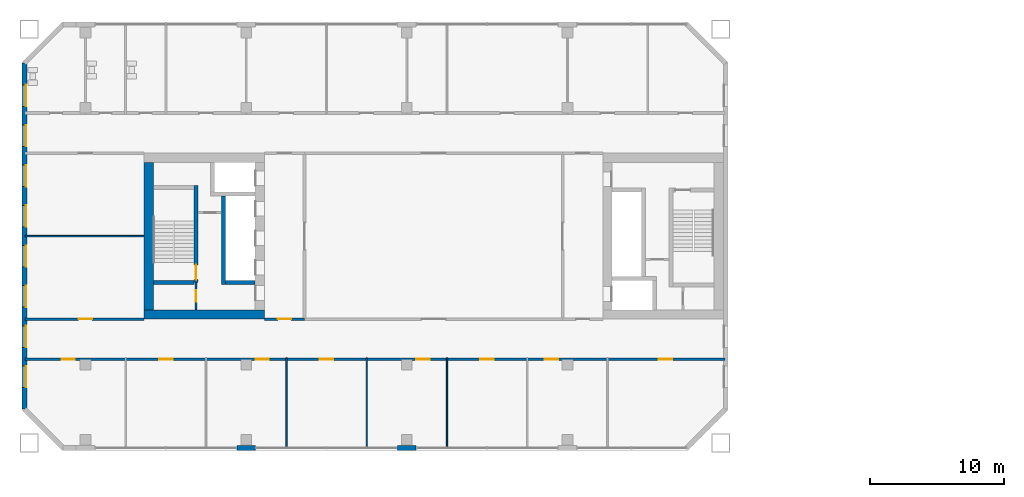
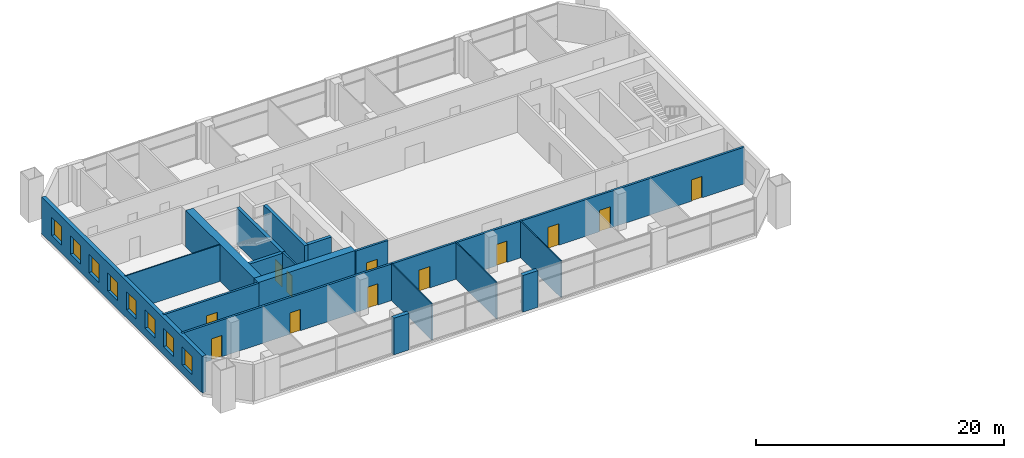
# One storey, part 10 of 19: 17 walls, 12 doors, 8 windows, 20 openings.
"""IFC4 building model written with IfcOpenShell, lengths in metres."""

from ifc_helpers import new_model, si_unit, direction, frame, frame_2d, origin, place, context, subcontext, project, spatial, rectangle, extrude, material, layer, layer_set, type_object, element, fill, save


model = new_model("IFC4")

# Units and contexts
model_context = context("Model", 3, precision=1e-05, world=origin(), true_north=direction((0.0, 1.0)))
body_context = subcontext(model_context, "Body", "Model", "MODEL_VIEW")
ifc_project = project(units=[si_unit("LENGTHUNIT", "METRE"), si_unit("AREAUNIT", "SQUARE_METRE"), si_unit("VOLUMEUNIT", "CUBIC_METRE"), si_unit("PLANEANGLEUNIT", "RADIAN"), si_unit("MASSUNIT", "GRAM", prefix="KILO")], contexts=[model_context])

# Site, building, storey
site_placement = place(None, origin())
site = spatial("IfcSite", under=ifc_project, at=site_placement, CompositionType="ELEMENT")
building_placement = place(site_placement, origin())
building = spatial("IfcBuilding", under=site, at=building_placement, Name="Tuart Gate Housing", CompositionType="ELEMENT")
storey_placement = place(building_placement, frame((0.0, 0.0, 67.39990234375)))
storey = spatial("IfcBuildingStorey", under=building, at=storey_placement, Name="L18", CompositionType="ELEMENT", Elevation=67.39990234375)

# Walls
ifc_material_1 = material(Name="Brick", Category="masonry")
ifc_layer_1 = layer(ifc_material_1, 0.360107421875)
ifc_layer_set_1 = layer_set([ifc_layer_1], Name="Brick pier and spandrel wall 360")
wall_type_1 = type_object("IfcWallType", Name="Brick pier and spandrel wall 360", PredefinedType="STANDARD", material=ifc_layer_set_1)
for number, where, z_axis, x_axis, name in (
    (1, (39.300048828125, 54.179931640625, 0.0), (0.0, 0.0, 1.0), (1.0, 0.0, 0.0), "External wall A-S L18"),
    (2, (51.300048828125, 54.179931640625, 0.0), (0.0, 0.0, 1.0), (1.0, 0.0, 0.0), "External wall A-S L18"),
):
    element("IfcWall", number, at=place(storey_placement, frame(where, z_axis=z_axis, x_axis=x_axis)), inside=storey, type_object=wall_type_1, Name=name, PredefinedType="STANDARD", context=body_context, shape_type="SweptSolid", body=[
        extrude(rectangle(XDim=1.39990234375, YDim=0.360107421875, at=frame_2d((0.699951171875, 0.0))), origin(), (0.0, 0.0, 1.0), 3.60009765625),
    ])

# Wall, openings, windows
wall_1_placement = place(storey_placement, frame((23.429931640625, 82.92529296875, 0.0), z_axis=(0.0, 0.0, 1.0), x_axis=(0.0, -1.0, 0.0)))
wall_1 = element("IfcWall", 3, at=wall_1_placement, inside=storey, type_object=wall_type_1, Name="External wall A-W L18", PredefinedType="STANDARD", context=body_context, shape_type="SweptSolid", body=[
    extrude(rectangle(XDim=25.850830078125, YDim=0.360107421875, at=frame_2d((12.92529296875, 0.0))), origin(), (0.0, 0.0, 1.0), 3.60009765625),
])
opening_1_placement = place(wall_1_placement, frame((1.62548828125, 0.0, 0.800048828125)))
opening_1 = element("IfcOpeningElement", 4, at=opening_1_placement, cuts=wall_1, Name="Opening W1", PredefinedType="OPENING", context=body_context, shape_type="SweptSolid", body=[
    extrude(rectangle(XDim=1.60009765625, YDim=1.800048828125, at=frame_2d((0.800048828125, 0.89990234375))), frame((0.0, 0.18994140625, 0.0), z_axis=(0.0, -1.0, 0.0), x_axis=(1.0, 0.0, 0.0)), (0.0, 0.0, 1.0), 0.380126953125),
])
opening_2_placement = place(wall_1_placement, frame((4.62548828125, 0.0, 0.800048828125)))
opening_2 = element("IfcOpeningElement", 5, at=opening_2_placement, cuts=wall_1, Name="Opening W1", PredefinedType="OPENING", context=body_context, shape_type="SweptSolid", body=[
    extrude(rectangle(XDim=1.60009765625, YDim=1.800048828125, at=frame_2d((0.800048828125, 0.89990234375))), frame((0.0, 0.18994140625, 0.0), z_axis=(0.0, -1.0, 0.0), x_axis=(1.0, 0.0, 0.0)), (0.0, 0.0, 1.0), 0.380126953125),
])
opening_3_placement = place(wall_1_placement, frame((7.62548828125, 0.0, 0.800048828125)))
opening_3 = element("IfcOpeningElement", 6, at=opening_3_placement, cuts=wall_1, Name="Opening W1", PredefinedType="OPENING", context=body_context, shape_type="SweptSolid", body=[
    extrude(rectangle(XDim=1.60009765625, YDim=1.800048828125, at=frame_2d((0.800048828125, 0.89990234375))), frame((0.0, 0.18994140625, 0.0), z_axis=(0.0, -1.0, 0.0), x_axis=(1.0, 0.0, 0.0)), (0.0, 0.0, 1.0), 0.380126953125),
])
opening_4_placement = place(wall_1_placement, frame((10.62548828125, 0.0, 0.800048828125)))
opening_4 = element("IfcOpeningElement", 7, at=opening_4_placement, cuts=wall_1, Name="Opening W1", PredefinedType="OPENING", context=body_context, shape_type="SweptSolid", body=[
    extrude(rectangle(XDim=1.60009765625, YDim=1.800048828125, at=frame_2d((0.800048828125, 0.89990234375))), frame((0.0, 0.18994140625, 0.0), z_axis=(0.0, -1.0, 0.0), x_axis=(1.0, 0.0, 0.0)), (0.0, 0.0, 1.0), 0.380126953125),
])
opening_5_placement = place(wall_1_placement, frame((13.62548828125, 0.0, 0.800048828125)))
opening_5 = element("IfcOpeningElement", 8, at=opening_5_placement, cuts=wall_1, Name="Opening W1", PredefinedType="OPENING", context=body_context, shape_type="SweptSolid", body=[
    extrude(rectangle(XDim=1.60009765625, YDim=1.800048828125, at=frame_2d((0.800048828125, 0.89990234375))), frame((0.0, 0.18994140625, 0.0), z_axis=(0.0, -1.0, 0.0), x_axis=(1.0, 0.0, 0.0)), (0.0, 0.0, 1.0), 0.380126953125),
])
opening_6_placement = place(wall_1_placement, frame((16.62548828125, 0.0, 0.800048828125)))
opening_6 = element("IfcOpeningElement", 9, at=opening_6_placement, cuts=wall_1, Name="Opening W1", PredefinedType="OPENING", context=body_context, shape_type="SweptSolid", body=[
    extrude(rectangle(XDim=1.60009765625, YDim=1.800048828125, at=frame_2d((0.800048828125, 0.89990234375))), frame((0.0, 0.18994140625, 0.0), z_axis=(0.0, -1.0, 0.0), x_axis=(1.0, 0.0, 0.0)), (0.0, 0.0, 1.0), 0.380126953125),
])
opening_7_placement = place(wall_1_placement, frame((19.62548828125, 0.0, 0.800048828125)))
opening_7 = element("IfcOpeningElement", 10, at=opening_7_placement, cuts=wall_1, Name="Opening W1", PredefinedType="OPENING", context=body_context, shape_type="SweptSolid", body=[
    extrude(rectangle(XDim=1.60009765625, YDim=1.800048828125, at=frame_2d((0.800048828125, 0.89990234375))), frame((0.0, 0.18994140625, 0.0), z_axis=(0.0, -1.0, 0.0), x_axis=(1.0, 0.0, 0.0)), (0.0, 0.0, 1.0), 0.380126953125),
])
opening_8_placement = place(wall_1_placement, frame((22.62548828125, 0.0, 0.800048828125)))
opening_8 = element("IfcOpeningElement", 11, at=opening_8_placement, cuts=wall_1, Name="Opening W1", PredefinedType="OPENING", context=body_context, shape_type="SweptSolid", body=[
    extrude(rectangle(XDim=1.60009765625, YDim=1.800048828125, at=frame_2d((0.800048828125, 0.89990234375))), frame((0.0, 0.18994140625, 0.0), z_axis=(0.0, -1.0, 0.0), x_axis=(1.0, 0.0, 0.0)), (0.0, 0.0, 1.0), 0.380126953125),
])
ifc_material_2 = material(Name="Aluminium frame with clear glass", Category="aluminium")
window_type = type_object("IfcWindowType", Name="Punched window 1600 x 1800", PartitioningType="SINGLE_PANEL", PredefinedType="WINDOW", material=ifc_material_2)
window_1_placement = place(opening_1_placement, origin())
window_1 = element("IfcWindow", 12, at=window_1_placement, inside=storey, type_object=window_type, Name="Window W1", OverallHeight=1.800048828125, OverallWidth=1.60009765625, PartitioningType="SINGLE_PANEL", PredefinedType="WINDOW", context=body_context, shape_type="SweptSolid", body=[
    extrude(rectangle(XDim=1.60009765625, YDim=1.800048828125, at=frame_2d((0.800048828125, 0.89990234375))), frame((0.0, 0.150146484375, 0.0), z_axis=(0.0, -1.0, 0.0), x_axis=(1.0, 0.0, 0.0)), (0.0, 0.0, 1.0), 0.06005859375),
])
fill(opening_1, window_1)
window_2_placement = place(opening_2_placement, origin())
window_2 = element("IfcWindow", 13, at=window_2_placement, inside=storey, type_object=window_type, Name="Window W1", OverallHeight=1.800048828125, OverallWidth=1.60009765625, PartitioningType="SINGLE_PANEL", PredefinedType="WINDOW", context=body_context, shape_type="SweptSolid", body=[
    extrude(rectangle(XDim=1.60009765625, YDim=1.800048828125, at=frame_2d((0.800048828125, 0.89990234375))), frame((0.0, 0.150146484375, 0.0), z_axis=(0.0, -1.0, 0.0), x_axis=(1.0, 0.0, 0.0)), (0.0, 0.0, 1.0), 0.06005859375),
])
fill(opening_2, window_2)
window_3_placement = place(opening_3_placement, origin())
window_3 = element("IfcWindow", 14, at=window_3_placement, inside=storey, type_object=window_type, Name="Window W1", OverallHeight=1.800048828125, OverallWidth=1.60009765625, PartitioningType="SINGLE_PANEL", PredefinedType="WINDOW", context=body_context, shape_type="SweptSolid", body=[
    extrude(rectangle(XDim=1.60009765625, YDim=1.800048828125, at=frame_2d((0.800048828125, 0.89990234375))), frame((0.0, 0.150146484375, 0.0), z_axis=(0.0, -1.0, 0.0), x_axis=(1.0, 0.0, 0.0)), (0.0, 0.0, 1.0), 0.06005859375),
])
fill(opening_3, window_3)
window_4_placement = place(opening_4_placement, origin())
window_4 = element("IfcWindow", 15, at=window_4_placement, inside=storey, type_object=window_type, Name="Window W1", OverallHeight=1.800048828125, OverallWidth=1.60009765625, PartitioningType="SINGLE_PANEL", PredefinedType="WINDOW", context=body_context, shape_type="SweptSolid", body=[
    extrude(rectangle(XDim=1.60009765625, YDim=1.800048828125, at=frame_2d((0.800048828125, 0.89990234375))), frame((0.0, 0.150146484375, 0.0), z_axis=(0.0, -1.0, 0.0), x_axis=(1.0, 0.0, 0.0)), (0.0, 0.0, 1.0), 0.06005859375),
])
fill(opening_4, window_4)
window_5_placement = place(opening_5_placement, origin())
window_5 = element("IfcWindow", 16, at=window_5_placement, inside=storey, type_object=window_type, Name="Window W1", OverallHeight=1.800048828125, OverallWidth=1.60009765625, PartitioningType="SINGLE_PANEL", PredefinedType="WINDOW", context=body_context, shape_type="SweptSolid", body=[
    extrude(rectangle(XDim=1.60009765625, YDim=1.800048828125, at=frame_2d((0.800048828125, 0.89990234375))), frame((0.0, 0.150146484375, 0.0), z_axis=(0.0, -1.0, 0.0), x_axis=(1.0, 0.0, 0.0)), (0.0, 0.0, 1.0), 0.06005859375),
])
fill(opening_5, window_5)
window_6_placement = place(opening_6_placement, origin())
window_6 = element("IfcWindow", 17, at=window_6_placement, inside=storey, type_object=window_type, Name="Window W1", OverallHeight=1.800048828125, OverallWidth=1.60009765625, PartitioningType="SINGLE_PANEL", PredefinedType="WINDOW", context=body_context, shape_type="SweptSolid", body=[
    extrude(rectangle(XDim=1.60009765625, YDim=1.800048828125, at=frame_2d((0.800048828125, 0.89990234375))), frame((0.0, 0.150146484375, 0.0), z_axis=(0.0, -1.0, 0.0), x_axis=(1.0, 0.0, 0.0)), (0.0, 0.0, 1.0), 0.06005859375),
])
fill(opening_6, window_6)
window_7_placement = place(opening_7_placement, origin())
window_7 = element("IfcWindow", 18, at=window_7_placement, inside=storey, type_object=window_type, Name="Window W1", OverallHeight=1.800048828125, OverallWidth=1.60009765625, PartitioningType="SINGLE_PANEL", PredefinedType="WINDOW", context=body_context, shape_type="SweptSolid", body=[
    extrude(rectangle(XDim=1.60009765625, YDim=1.800048828125, at=frame_2d((0.800048828125, 0.89990234375))), frame((0.0, 0.150146484375, 0.0), z_axis=(0.0, -1.0, 0.0), x_axis=(1.0, 0.0, 0.0)), (0.0, 0.0, 1.0), 0.06005859375),
])
fill(opening_7, window_7)
window_8_placement = place(opening_8_placement, origin())
window_8 = element("IfcWindow", 19, at=window_8_placement, inside=storey, type_object=window_type, Name="Window W1", OverallHeight=1.800048828125, OverallWidth=1.60009765625, PartitioningType="SINGLE_PANEL", PredefinedType="WINDOW", context=body_context, shape_type="SweptSolid", body=[
    extrude(rectangle(XDim=1.60009765625, YDim=1.800048828125, at=frame_2d((0.800048828125, 0.89990234375))), frame((0.0, 0.150146484375, 0.0), z_axis=(0.0, -1.0, 0.0), x_axis=(1.0, 0.0, 0.0)), (0.0, 0.0, 1.0), 0.06005859375),
])
fill(opening_8, window_8)

# Wall, opening, door
ifc_material_3 = material(Name="Plasterboard partition")
ifc_layer_2 = layer(ifc_material_3, 0.14990234375)
ifc_layer_set_2 = layer_set([ifc_layer_2], Name="Core partition 150")
wall_type_2 = type_object("IfcWallType", Name="Core partition 150", PredefinedType="PARTITIONING", material=ifc_layer_set_2)
wall_2_placement = place(storey_placement, frame((36.260009765625, 66.550048828125, 0.0), z_axis=(0.0, 0.0, 1.0), x_axis=(0.0, -1.0, 0.0)))
wall_2 = element("IfcWall", 20, at=wall_2_placement, inside=storey, type_object=wall_type_2, Name="Core partition AK.9", PredefinedType="PARTITIONING", context=body_context, shape_type="SweptSolid", body=[
    extrude(rectangle(XDim=2.050048828125, YDim=0.14990234375, at=frame_2d((1.02490234375, 0.0))), origin(), (0.0, 0.0, 1.0), 3.60009765625),
])
opening_9_placement = place(wall_2_placement, frame((0.60009765625, 0.0, 0.0)))
opening_9 = element("IfcOpeningElement", 21, at=opening_9_placement, cuts=wall_2, Name="Opening D093", PredefinedType="OPENING", context=body_context, shape_type="SweptSolid", body=[
    extrude(rectangle(XDim=0.85009765625, YDim=2.10009765625, at=frame_2d((0.425048828125, 1.050048828125))), frame((0.0, 0.0849609375, 0.0), z_axis=(0.0, -1.0, 0.0), x_axis=(1.0, 0.0, 0.0)), (0.0, 0.0, 1.0), 0.169921875),
])
ifc_material_4 = material(Name="Steel fire door", Category="steel")
door_type_1 = type_object("IfcDoorType", Name="Service door 850 x 2100 RH", OperationType="SINGLE_SWING_RIGHT", PredefinedType="DOOR", material=ifc_material_4)
door_1_placement = place(opening_9_placement, frame((0.85009765625, 0.0, 0.0), z_axis=(0.0, 0.0, 1.0), x_axis=(-1.0, 0.0, 0.0)))
door_1 = element("IfcDoor", 22, at=door_1_placement, inside=storey, type_object=door_type_1, Name="Service room door AK.ST", OperationType="SINGLE_SWING_RIGHT", OverallHeight=2.10009765625, OverallWidth=0.85009765625, PredefinedType="DOOR", context=body_context, shape_type="SweptSolid", body=[
    extrude(rectangle(XDim=0.85009765625, YDim=2.10009765625, at=frame_2d((0.425048828125, 1.050048828125))), frame((0.0, 0.025146484375, 0.0), z_axis=(0.0, -1.0, 0.0), x_axis=(1.0, 0.0, 0.0)), (0.0, 0.0, 1.0), 0.050048828125),
])
fill(opening_9, door_1)

# Walls
ifc_material_5 = material(Name="Concrete C50", Category="concrete")
ifc_layer_3 = layer(ifc_material_5, 0.300048828125)
ifc_layer_set_3 = layer_set([ifc_layer_3], Name="Core wall 300 C50")
wall_type_3 = type_object("IfcWallType", Name="Core wall 300 C50", PredefinedType="SHEAR", material=ifc_layer_set_3)
wall_3_placement = place(storey_placement, frame((40.659912109375, 66.550048828125, 0.0), z_axis=(0.0, 0.0, 1.0), x_axis=(-1.0, 0.0, 0.0)))
element("IfcWall", 23, at=wall_3_placement, inside=storey, type_object=wall_type_3, Name="Core wall AK.4", PredefinedType="SHEAR", context=body_context, shape_type="SweptSolid", body=[
    extrude(rectangle(XDim=2.199951171875, YDim=0.300048828125, at=frame_2d((1.10009765625, 0.0))), origin(), (0.0, 0.0, 1.0), 3.60009765625),
])
wall_4_placement = place(storey_placement, frame((36.110107421875, 66.550048828125, 0.0), z_axis=(0.0, 0.0, 1.0), x_axis=(-1.0, 0.0, 0.0)))
element("IfcWall", 24, at=wall_4_placement, inside=storey, type_object=wall_type_3, Name="Core wall AK.5", PredefinedType="SHEAR", context=body_context, shape_type="SweptSolid", body=[
    extrude(rectangle(XDim=3.050048828125, YDim=0.300048828125, at=frame_2d((1.52490234375, 0.0))), origin(), (0.0, 0.0, 1.0), 3.60009765625),
])
wall_5_placement = place(storey_placement, frame((38.31005859375, 73.0, 0.0), z_axis=(0.0, 0.0, 1.0), x_axis=(0.0, -1.0, 0.0)))
element("IfcWall", 25, at=wall_5_placement, inside=storey, type_object=wall_type_3, Name="Core wall AK.6", PredefinedType="SHEAR", context=body_context, shape_type="SweptSolid", body=[
    extrude(rectangle(XDim=6.60009765625, YDim=0.300048828125, at=frame_2d((3.300048828125, 0.0))), origin(), (0.0, 0.0, 1.0), 3.60009765625),
])

# Wall, opening, door
wall_6_placement = place(storey_placement, frame((36.260009765625, 73.800048828125, 0.0), z_axis=(0.0, 0.0, 1.0), x_axis=(0.0, -1.0, 0.0)))
wall_6 = element("IfcWall", 26, at=wall_6_placement, inside=storey, type_object=wall_type_3, Name="Core wall AK.8", PredefinedType="SHEAR", context=body_context, shape_type="SweptSolid", body=[
    extrude(rectangle(XDim=7.25, YDim=0.300048828125, at=frame_2d((3.625, 0.0))), origin(), (0.0, 0.0, 1.0), 3.60009765625),
])
opening_10_placement = place(wall_6_placement, frame((5.949951171875, 0.0, 0.0)))
opening_10 = element("IfcOpeningElement", 27, at=opening_10_placement, cuts=wall_6, Name="Opening D087", PredefinedType="OPENING", context=body_context, shape_type="SweptSolid", body=[
    extrude(rectangle(XDim=1.10009765625, YDim=2.10009765625, at=frame_2d((0.550048828125, 1.050048828125))), frame((0.0, 0.159912109375, 0.0), z_axis=(0.0, -1.0, 0.0), x_axis=(1.0, 0.0, 0.0)), (0.0, 0.0, 1.0), 0.320068359375),
])
ifc_material_6 = material(Name="Steel fire door", Category="steel")
door_type_2 = type_object("IfcDoorType", Name="Stair door 1100 x 2100", OperationType="SINGLE_SWING_LEFT", PredefinedType="DOOR", material=ifc_material_6)
door_2_placement = place(opening_10_placement, frame((1.10009765625, 0.0, 0.0), z_axis=(0.0, 0.0, 1.0), x_axis=(-1.0, 0.0, 0.0)))
door_2 = element("IfcDoor", 28, at=door_2_placement, inside=storey, type_object=door_type_2, Name="Stair door AK.SD", OperationType="SINGLE_SWING_LEFT", OverallHeight=2.10009765625, OverallWidth=1.10009765625, PredefinedType="DOOR", context=body_context, shape_type="SweptSolid", body=[
    extrude(rectangle(XDim=1.10009765625, YDim=2.10009765625, at=frame_2d((0.550048828125, 1.050048828125))), frame((0.0, 0.025146484375, 0.0), z_axis=(0.0, -1.0, 0.0), x_axis=(1.0, 0.0, 0.0)), (0.0, 0.0, 1.0), 0.050048828125),
])
fill(opening_10, door_2)

# Walls
ifc_material_7 = material(Name="Concrete C50", Category="concrete")
ifc_layer_4 = layer(ifc_material_7, 0.699951171875)
ifc_layer_set_4 = layer_set([ifc_layer_4], Name="Core wall 700 C50")
wall_type_4 = type_object("IfcWallType", Name="Core wall 700 C50", PredefinedType="SHEAR", material=ifc_layer_set_4)
wall_7_placement = place(storey_placement, frame((32.7099609375, 75.5, 0.0), z_axis=(0.0, 0.0, 1.0), x_axis=(0.0, -1.0, 0.0)))
element("IfcWall", 29, at=wall_7_placement, inside=storey, type_object=wall_type_4, Name="Core wall AK back", PredefinedType="SHEAR", context=body_context, shape_type="SweptSolid", body=[
    extrude(rectangle(XDim=11.0, YDim=0.699951171875, at=frame_2d((5.5, 0.0))), origin(), (0.0, 0.0, 1.0), 3.60009765625),
])
wall_8_placement = place(storey_placement, frame((41.360107421875, 64.14990234375, 0.0), z_axis=(0.0, 0.0, 1.0), x_axis=(-1.0, 0.0, 0.0)))
element("IfcWall", 30, at=wall_8_placement, inside=storey, type_object=wall_type_4, Name="Core wall AK north", PredefinedType="SHEAR", context=body_context, shape_type="SweptSolid", body=[
    extrude(rectangle(XDim=9.0, YDim=0.699951171875, at=frame_2d((4.5, 0.0))), origin(), (0.0, 0.0, 1.0), 3.60009765625),
])

# Wall, openings, doors
ifc_material_8 = material(Name="Concrete masonry 15 MPa", Category="masonry")
ifc_layer_5 = layer(ifc_material_8, 0.199951171875)
ifc_layer_set_5 = layer_set([ifc_layer_5], Name="Corridor wall masonry 200")
wall_type_5 = type_object("IfcWallType", Name="Corridor wall masonry 200", PredefinedType="PARTITIONING", material=ifc_layer_set_5)
wall_9_placement = place(storey_placement, frame((23.489990234375, 60.800048828125, 0.0), z_axis=(0.0, 0.0, 1.0), x_axis=(1.0, 0.0, 0.0)))
wall_9 = element("IfcWall", 31, at=wall_9_placement, inside=storey, type_object=wall_type_5, Name="Corridor wall masonry 200", PredefinedType="PARTITIONING", context=body_context, shape_type="SweptSolid", body=[
    extrude(rectangle(XDim=52.27001953125, YDim=0.199951171875, at=frame_2d((26.135009765625, 0.0))), origin(), (0.0, 0.0, 1.0), 3.60009765625),
])
opening_11_placement = place(wall_9_placement, frame((2.715087890625, 0.0, 0.0)))
opening_11 = element("IfcOpeningElement", 32, at=opening_11_placement, cuts=wall_9, Name="Opening D099", PredefinedType="OPENING", context=body_context, shape_type="SweptSolid", body=[
    extrude(rectangle(XDim=1.0, YDim=2.10009765625, at=frame_2d((0.5, 1.050048828125))), frame((0.0, 0.10986328125, 0.0), z_axis=(0.0, -1.0, 0.0), x_axis=(1.0, 0.0, 0.0)), (0.0, 0.0, 1.0), 0.219970703125),
])
opening_12_placement = place(wall_9_placement, frame((10.010009765625, 0.0, 0.0)))
opening_12 = element("IfcOpeningElement", 33, at=opening_12_placement, cuts=wall_9, Name="Opening D100", PredefinedType="OPENING", context=body_context, shape_type="SweptSolid", body=[
    extrude(rectangle(XDim=1.0, YDim=2.10009765625, at=frame_2d((0.5, 1.050048828125))), frame((0.0, 0.10986328125, 0.0), z_axis=(0.0, -1.0, 0.0), x_axis=(1.0, 0.0, 0.0)), (0.0, 0.0, 1.0), 0.219970703125),
])
opening_13_placement = place(wall_9_placement, frame((17.2099609375, 0.0, 0.0)))
opening_13 = element("IfcOpeningElement", 34, at=opening_13_placement, cuts=wall_9, Name="Opening D101", PredefinedType="OPENING", context=body_context, shape_type="SweptSolid", body=[
    extrude(rectangle(XDim=1.0, YDim=2.10009765625, at=frame_2d((0.5, 1.050048828125))), frame((0.0, 0.10986328125, 0.0), z_axis=(0.0, -1.0, 0.0), x_axis=(1.0, 0.0, 0.0)), (0.0, 0.0, 1.0), 0.219970703125),
])
opening_14_placement = place(wall_9_placement, frame((22.010009765625, 0.0, 0.0)))
opening_14 = element("IfcOpeningElement", 35, at=opening_14_placement, cuts=wall_9, Name="Opening D102", PredefinedType="OPENING", context=body_context, shape_type="SweptSolid", body=[
    extrude(rectangle(XDim=1.0, YDim=2.10009765625, at=frame_2d((0.5, 1.050048828125))), frame((0.0, 0.10986328125, 0.0), z_axis=(0.0, -1.0, 0.0), x_axis=(1.0, 0.0, 0.0)), (0.0, 0.0, 1.0), 0.219970703125),
])
opening_15_placement = place(wall_9_placement, frame((29.2099609375, 0.0, 0.0)))
opening_15 = element("IfcOpeningElement", 36, at=opening_15_placement, cuts=wall_9, Name="Opening D103", PredefinedType="OPENING", context=body_context, shape_type="SweptSolid", body=[
    extrude(rectangle(XDim=1.0, YDim=2.10009765625, at=frame_2d((0.5, 1.050048828125))), frame((0.0, 0.10986328125, 0.0), z_axis=(0.0, -1.0, 0.0), x_axis=(1.0, 0.0, 0.0)), (0.0, 0.0, 1.0), 0.219970703125),
])
opening_16_placement = place(wall_9_placement, frame((34.010009765625, 0.0, 0.0)))
opening_16 = element("IfcOpeningElement", 37, at=opening_16_placement, cuts=wall_9, Name="Opening D104", PredefinedType="OPENING", context=body_context, shape_type="SweptSolid", body=[
    extrude(rectangle(XDim=1.0, YDim=2.10009765625, at=frame_2d((0.5, 1.050048828125))), frame((0.0, 0.10986328125, 0.0), z_axis=(0.0, -1.0, 0.0), x_axis=(1.0, 0.0, 0.0)), (0.0, 0.0, 1.0), 0.219970703125),
])
opening_17_placement = place(wall_9_placement, frame((38.81005859375, 0.0, 0.0)))
opening_17 = element("IfcOpeningElement", 38, at=opening_17_placement, cuts=wall_9, Name="Opening D105", PredefinedType="OPENING", context=body_context, shape_type="SweptSolid", body=[
    extrude(rectangle(XDim=1.0, YDim=2.10009765625, at=frame_2d((0.5, 1.050048828125))), frame((0.0, 0.10986328125, 0.0), z_axis=(0.0, -1.0, 0.0), x_axis=(1.0, 0.0, 0.0)), (0.0, 0.0, 1.0), 0.219970703125),
])
opening_18_placement = place(wall_9_placement, frame((47.330078125, 0.0, 0.0)))
opening_18 = element("IfcOpeningElement", 39, at=opening_18_placement, cuts=wall_9, Name="Opening D106", PredefinedType="OPENING", context=body_context, shape_type="SweptSolid", body=[
    extrude(rectangle(XDim=1.0, YDim=2.10009765625, at=frame_2d((0.5, 1.050048828125))), frame((0.0, 0.10986328125, 0.0), z_axis=(0.0, -1.0, 0.0), x_axis=(1.0, 0.0, 0.0)), (0.0, 0.0, 1.0), 0.219970703125),
])
ifc_material_9 = material(Name="Timber door leaf in steel frame", Category="steel")
door_type_3 = type_object("IfcDoorType", Name="Fire door 1000", OperationType="SINGLE_SWING_LEFT", PredefinedType="DOOR", material=ifc_material_9)
door_3_placement = place(opening_13_placement, frame((1.0, 0.0, 0.0), z_axis=(0.0, 0.0, 1.0), x_axis=(-1.0, 0.0, 0.0)))
door_3 = element("IfcDoor", 40, at=door_3_placement, inside=storey, type_object=door_type_3, Name="Fire door 1000", OperationType="SINGLE_SWING_LEFT", OverallHeight=2.10009765625, OverallWidth=1.0, PredefinedType="DOOR", context=body_context, shape_type="SweptSolid", body=[
    extrude(rectangle(XDim=1.0, YDim=2.10009765625, at=frame_2d((0.5, 1.050048828125))), frame((0.0, 0.025146484375, 0.0), z_axis=(0.0, -1.0, 0.0), x_axis=(1.0, 0.0, 0.0)), (0.0, 0.0, 1.0), 0.050048828125),
])
fill(opening_13, door_3)
door_4_placement = place(opening_15_placement, frame((1.0, 0.0, 0.0), z_axis=(0.0, 0.0, 1.0), x_axis=(-1.0, 0.0, 0.0)))
door_4 = element("IfcDoor", 41, at=door_4_placement, inside=storey, type_object=door_type_3, Name="Fire door 1000", OperationType="SINGLE_SWING_LEFT", OverallHeight=2.10009765625, OverallWidth=1.0, PredefinedType="DOOR", context=body_context, shape_type="SweptSolid", body=[
    extrude(rectangle(XDim=1.0, YDim=2.10009765625, at=frame_2d((0.5, 1.050048828125))), frame((0.0, 0.025146484375, 0.0), z_axis=(0.0, -1.0, 0.0), x_axis=(1.0, 0.0, 0.0)), (0.0, 0.0, 1.0), 0.050048828125),
])
fill(opening_15, door_4)
ifc_material_10 = material(Name="Timber door leaf in steel frame", Category="steel")
door_type_4 = type_object("IfcDoorType", Name="Fire door 1000 RH", OperationType="SINGLE_SWING_RIGHT", PredefinedType="DOOR", material=ifc_material_10)
door_5_placement = place(opening_11_placement, frame((1.0, 0.0, 0.0), z_axis=(0.0, 0.0, 1.0), x_axis=(-1.0, 0.0, 0.0)))
door_5 = element("IfcDoor", 42, at=door_5_placement, inside=storey, type_object=door_type_4, Name="Fire door 1000", OperationType="SINGLE_SWING_RIGHT", OverallHeight=2.10009765625, OverallWidth=1.0, PredefinedType="DOOR", context=body_context, shape_type="SweptSolid", body=[
    extrude(rectangle(XDim=1.0, YDim=2.10009765625, at=frame_2d((0.5, 1.050048828125))), frame((0.0, 0.025146484375, 0.0), z_axis=(0.0, -1.0, 0.0), x_axis=(1.0, 0.0, 0.0)), (0.0, 0.0, 1.0), 0.050048828125),
])
fill(opening_11, door_5)
door_6_placement = place(opening_12_placement, frame((1.0, 0.0, 0.0), z_axis=(0.0, 0.0, 1.0), x_axis=(-1.0, 0.0, 0.0)))
door_6 = element("IfcDoor", 43, at=door_6_placement, inside=storey, type_object=door_type_4, Name="Fire door 1000", OperationType="SINGLE_SWING_RIGHT", OverallHeight=2.10009765625, OverallWidth=1.0, PredefinedType="DOOR", context=body_context, shape_type="SweptSolid", body=[
    extrude(rectangle(XDim=1.0, YDim=2.10009765625, at=frame_2d((0.5, 1.050048828125))), frame((0.0, 0.025146484375, 0.0), z_axis=(0.0, -1.0, 0.0), x_axis=(1.0, 0.0, 0.0)), (0.0, 0.0, 1.0), 0.050048828125),
])
fill(opening_12, door_6)
door_7_placement = place(opening_14_placement, frame((1.0, 0.0, 0.0), z_axis=(0.0, 0.0, 1.0), x_axis=(-1.0, 0.0, 0.0)))
door_7 = element("IfcDoor", 44, at=door_7_placement, inside=storey, type_object=door_type_4, Name="Fire door 1000", OperationType="SINGLE_SWING_RIGHT", OverallHeight=2.10009765625, OverallWidth=1.0, PredefinedType="DOOR", context=body_context, shape_type="SweptSolid", body=[
    extrude(rectangle(XDim=1.0, YDim=2.10009765625, at=frame_2d((0.5, 1.050048828125))), frame((0.0, 0.025146484375, 0.0), z_axis=(0.0, -1.0, 0.0), x_axis=(1.0, 0.0, 0.0)), (0.0, 0.0, 1.0), 0.050048828125),
])
fill(opening_14, door_7)
door_8_placement = place(opening_16_placement, frame((1.0, 0.0, 0.0), z_axis=(0.0, 0.0, 1.0), x_axis=(-1.0, 0.0, 0.0)))
door_8 = element("IfcDoor", 45, at=door_8_placement, inside=storey, type_object=door_type_4, Name="Fire door 1000", OperationType="SINGLE_SWING_RIGHT", OverallHeight=2.10009765625, OverallWidth=1.0, PredefinedType="DOOR", context=body_context, shape_type="SweptSolid", body=[
    extrude(rectangle(XDim=1.0, YDim=2.10009765625, at=frame_2d((0.5, 1.050048828125))), frame((0.0, 0.025146484375, 0.0), z_axis=(0.0, -1.0, 0.0), x_axis=(1.0, 0.0, 0.0)), (0.0, 0.0, 1.0), 0.050048828125),
])
fill(opening_16, door_8)
door_9_placement = place(opening_17_placement, frame((1.0, 0.0, 0.0), z_axis=(0.0, 0.0, 1.0), x_axis=(-1.0, 0.0, 0.0)))
door_9 = element("IfcDoor", 46, at=door_9_placement, inside=storey, type_object=door_type_4, Name="Fire door 1000", OperationType="SINGLE_SWING_RIGHT", OverallHeight=2.10009765625, OverallWidth=1.0, PredefinedType="DOOR", context=body_context, shape_type="SweptSolid", body=[
    extrude(rectangle(XDim=1.0, YDim=2.10009765625, at=frame_2d((0.5, 1.050048828125))), frame((0.0, 0.025146484375, 0.0), z_axis=(0.0, -1.0, 0.0), x_axis=(1.0, 0.0, 0.0)), (0.0, 0.0, 1.0), 0.050048828125),
])
fill(opening_17, door_9)
door_10_placement = place(opening_18_placement, frame((1.0, 0.0, 0.0), z_axis=(0.0, 0.0, 1.0), x_axis=(-1.0, 0.0, 0.0)))
door_10 = element("IfcDoor", 47, at=door_10_placement, inside=storey, type_object=door_type_4, Name="Fire door 1000", OperationType="SINGLE_SWING_RIGHT", OverallHeight=2.10009765625, OverallWidth=1.0, PredefinedType="DOOR", context=body_context, shape_type="SweptSolid", body=[
    extrude(rectangle(XDim=1.0, YDim=2.10009765625, at=frame_2d((0.5, 1.050048828125))), frame((0.0, 0.025146484375, 0.0), z_axis=(0.0, -1.0, 0.0), x_axis=(1.0, 0.0, 0.0)), (0.0, 0.0, 1.0), 0.050048828125),
])
fill(opening_18, door_10)

# Wall, opening, door
wall_10_placement = place(storey_placement, frame((23.489990234375, 63.800048828125, 0.0), z_axis=(0.0, 0.0, 1.0), x_axis=(1.0, 0.0, 0.0)))
wall_10 = element("IfcWall", 48, at=wall_10_placement, inside=storey, type_object=wall_type_5, Name="Corridor wall masonry 200", PredefinedType="PARTITIONING", context=body_context, shape_type="SweptSolid", body=[
    extrude(rectangle(XDim=8.8701171875, YDim=0.199951171875, at=frame_2d((4.43505859375, 0.0))), origin(), (0.0, 0.0, 1.0), 3.60009765625),
])
opening_19_placement = place(wall_10_placement, frame((3.9951171875, 0.0, 0.0)))
opening_19 = element("IfcOpeningElement", 49, at=opening_19_placement, cuts=wall_10, Name="Opening D095", PredefinedType="OPENING", context=body_context, shape_type="SweptSolid", body=[
    extrude(rectangle(XDim=1.0, YDim=2.10009765625, at=frame_2d((0.5, 1.050048828125))), frame((0.0, 0.10986328125, 0.0), z_axis=(0.0, -1.0, 0.0), x_axis=(1.0, 0.0, 0.0)), (0.0, 0.0, 1.0), 0.219970703125),
])
door_11_placement = place(opening_19_placement, origin())
door_11 = element("IfcDoor", 50, at=door_11_placement, inside=storey, type_object=door_type_3, Name="Fire door 1000", OperationType="SINGLE_SWING_LEFT", OverallHeight=2.10009765625, OverallWidth=1.0, PredefinedType="DOOR", context=body_context, shape_type="SweptSolid", body=[
    extrude(rectangle(XDim=1.0, YDim=2.10009765625, at=frame_2d((0.5, 1.050048828125))), frame((0.0, 0.02490234375, 0.0), z_axis=(0.0, -1.0, 0.0), x_axis=(1.0, 0.0, 0.0)), (0.0, 0.0, 1.0), 0.050048828125),
])
fill(opening_19, door_11)

ifc_material_11 = material(Name="Concrete masonry 15 MPa", Category="masonry")
ifc_layer_6 = layer(ifc_material_11, 0.199951171875)
ifc_layer_set_6 = layer_set([ifc_layer_6], Name="Enclosure wall masonry 200")
wall_type_6 = type_object("IfcWallType", Name="Enclosure wall masonry 200", PredefinedType="PARTITIONING", material=ifc_layer_set_6)
wall_11_placement = place(storey_placement, frame((41.360107421875, 63.800048828125, 0.0), z_axis=(0.0, 0.0, 1.0), x_axis=(1.0, 0.0, 0.0)))
wall_11 = element("IfcWall", 51, at=wall_11_placement, inside=storey, type_object=wall_type_6, Name="Enclosure wall masonry 200", PredefinedType="PARTITIONING", context=body_context, shape_type="SweptSolid", body=[
    extrude(rectangle(XDim=3.0, YDim=0.199951171875, at=frame_2d((1.5, 0.0))), origin(), (0.0, 0.0, 1.0), 3.60009765625),
])
opening_20_placement = place(wall_11_placement, frame((1.0, 0.0, 0.0)))
opening_20 = element("IfcOpeningElement", 52, at=opening_20_placement, cuts=wall_11, Name="Opening D096", PredefinedType="OPENING", context=body_context, shape_type="SweptSolid", body=[
    extrude(rectangle(XDim=1.0, YDim=2.10009765625, at=frame_2d((0.5, 1.050048828125))), frame((0.0, 0.10986328125, 0.0), z_axis=(0.0, -1.0, 0.0), x_axis=(1.0, 0.0, 0.0)), (0.0, 0.0, 1.0), 0.219970703125),
])
ifc_material_12 = material(Name="Timber door leaf in steel frame", Category="steel")
door_type_5 = type_object("IfcDoorType", Name="Lobby door 1000 RH", OperationType="SINGLE_SWING_RIGHT", PredefinedType="DOOR", material=ifc_material_12)
door_12_placement = place(opening_20_placement, origin())
door_12 = element("IfcDoor", 53, at=door_12_placement, inside=storey, type_object=door_type_5, Name="Lobby door 1000", OperationType="SINGLE_SWING_RIGHT", OverallHeight=2.10009765625, OverallWidth=1.0, PredefinedType="DOOR", context=body_context, shape_type="SweptSolid", body=[
    extrude(rectangle(XDim=1.0, YDim=2.10009765625, at=frame_2d((0.5, 1.050048828125))), frame((0.0, 0.02490234375, 0.0), z_axis=(0.0, -1.0, 0.0), x_axis=(1.0, 0.0, 0.0)), (0.0, 0.0, 1.0), 0.050048828125),
])
fill(opening_20, door_12)

# Walls
ifc_material_13 = material(Name="Gypsum board on steel studs", Category="steel")
ifc_layer_7 = layer(ifc_material_13, 0.10009765625)
ifc_layer_set_7 = layer_set([ifc_layer_7], Name="Partition 100")
wall_type_7 = type_object("IfcWallType", Name="Partition 100", PredefinedType="PARTITIONING", material=ifc_layer_set_7)
wall_12_placement = place(storey_placement, frame((23.489990234375, 70.0, 0.0), z_axis=(0.0, 0.0, 1.0), x_axis=(1.0, 0.0, 0.0)))
element("IfcWall", 54, at=wall_12_placement, inside=storey, type_object=wall_type_7, Name="Partition 100", PredefinedType="PARTITIONING", context=body_context, shape_type="SweptSolid", body=[
    extrude(rectangle(XDim=8.8701171875, YDim=0.10009765625, at=frame_2d((4.43505859375, 0.0))), origin(), (0.0, 0.0, 1.0), 3.60009765625),
])
for number, where, z_axis, x_axis, name in (
    (55, (43.0, 54.239990234375, 0.0), (0.0, 0.0, 1.0), (0.0, 1.0, 0.0), "Partition 100"),
    (56, (49.0, 54.239990234375, 0.0), (0.0, 0.0, 1.0), (0.0, 1.0, 0.0), "Partition 100"),
    (57, (55.0, 54.239990234375, 0.0), (0.0, 0.0, 1.0), (0.0, 1.0, 0.0), "Partition 100"),
):
    element("IfcWall", number, at=place(storey_placement, frame(where, z_axis=z_axis, x_axis=x_axis)), inside=storey, type_object=wall_type_7, Name=name, PredefinedType="PARTITIONING", context=body_context, shape_type="SweptSolid", body=[
        extrude(rectangle(XDim=6.659912109375, YDim=0.10009765625, at=frame_2d((3.330078125, 0.0))), origin(), (0.0, 0.0, 1.0), 3.60009765625),
    ])

save(model, "model.ifc")
